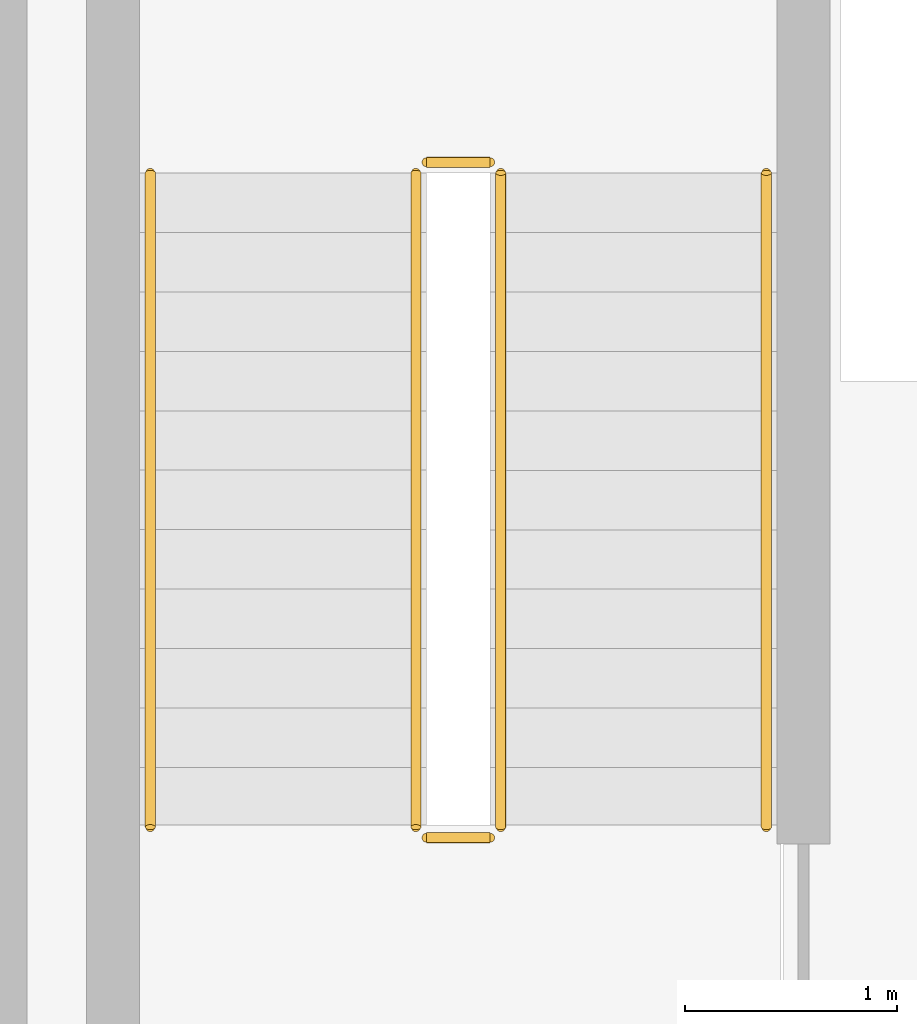
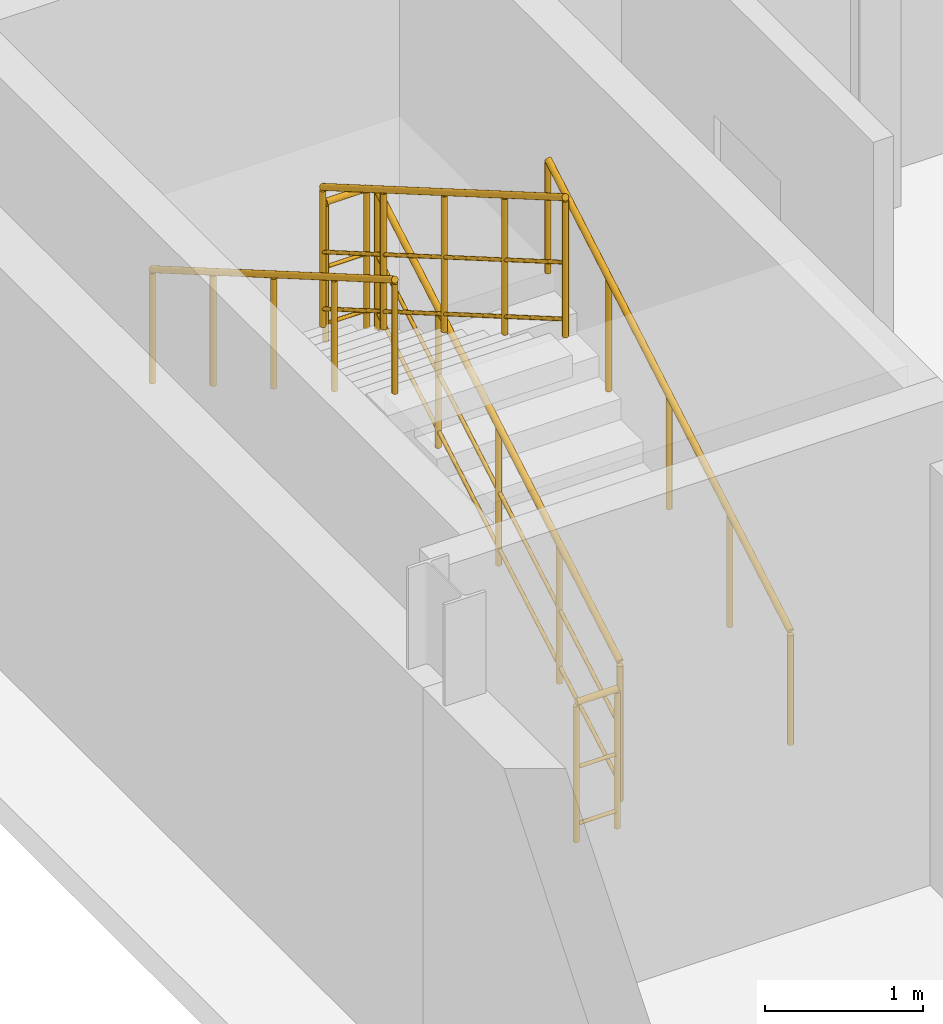
# One storey, part 16 of 16: 6 railings.
"""IFC4 building model written with IfcOpenShell, lengths in metres."""

import ifcopenshell
import ifcopenshell.guid

model = None  # the IFC model being written
_history = None  # IfcOwnerHistory: only IFC2X3 demands one
_inside = {}  # id of a spatial element -> (the spatial element, [elements in it])
_under = {}  # id of a project, library or spatial element -> (it, [spatial elements below it])
_declared = {}  # id of a project -> (the project, [libraries it declares])
_typed = {}  # id of a type object -> (the type object, [elements of that type])
_made_of = {}  # id of a material, layer set ... -> (it, [elements and type objects made of it])


def new_model(schema):
    """Start an empty IFC model of exactly this schema.

    Asked for "IFC4X3", IfcOpenShell would pick the latest addendum, in which some entities
    have other attributes; the version numbers below select the first issue.
    IFC2X3 requires an IfcOwnerHistory on every rooted entity: one is made here for all.
    """
    global model, _history
    if schema == "IFC4X3":
        model = ifcopenshell.file(schema_version=(4, 3, 0, 0))
    else:
        model = ifcopenshell.file(schema=schema)
    _inside.clear()
    _under.clear()
    _declared.clear()
    _typed.clear()
    _made_of.clear()
    _history = None
    if model.schema == "IFC2X3":
        org = make("IfcOrganization", Name="unknown")
        user = make(
            "IfcPersonAndOrganization",
            ThePerson=make("IfcPerson", FamilyName="unknown"),
            TheOrganization=org,
        )
        app = make(
            "IfcApplication",
            ApplicationDeveloper=org,
            Version="unknown",
            ApplicationFullName="unknown",
            ApplicationIdentifier="unknown",
        )
        _history = make(
            "IfcOwnerHistory",
            OwningUser=user,
            OwningApplication=app,
            ChangeAction="ADDED",
            CreationDate=0,
        )
    return model


def make(cls, **values):
    """One entity of the class cls with the attributes given. An attribute that is None is left unset."""
    return model.create_entity(
        cls, **{name: value for name, value in values.items() if value is not None}
    )


def rooted(cls, **values):
    """An entity with a GlobalId (a new one), such as an element, a storey or a relation."""
    return make(cls, GlobalId=ifcopenshell.guid.new(), OwnerHistory=_history, **values)


def si_unit(unit_type, name, prefix=None):
    """IfcSIUnit, for example si_unit("LENGTHUNIT", "METRE", prefix="MILLI")."""
    return make("IfcSIUnit", UnitType=unit_type, Prefix=prefix, Name=name)


def assignment(units):
    """IfcUnitAssignment: the units of a project."""
    return None if units is None else make("IfcUnitAssignment", Units=units)


def point(xyz):
    """IfcCartesianPoint."""
    return None if xyz is None else make("IfcCartesianPoint", Coordinates=xyz)


def direction(xyz):
    """IfcDirection."""
    return None if xyz is None else make("IfcDirection", DirectionRatios=xyz)


def frame(location, z_axis=None, x_axis=None):
    """IfcAxis2Placement3D, a coordinate frame: its origin and axes. An axis left out is left unset."""
    return make(
        "IfcAxis2Placement3D",
        Location=point(location),
        Axis=direction(z_axis),
        RefDirection=direction(x_axis),
    )


def frame_2d(location, x_axis=None):
    """IfcAxis2Placement2D, a coordinate frame in the plane: its origin and x axis."""
    return make(
        "IfcAxis2Placement2D", Location=point(location), RefDirection=direction(x_axis)
    )


def origin():
    """The frame at (0, 0, 0) with its axes left unset."""
    return frame((0.0, 0.0, 0.0))


def origin_2d():
    """The frame at (0, 0) in the plane with its x axis left unset."""
    return frame_2d((0.0, 0.0))


def place(relative_to, where):
    """IfcLocalPlacement: puts the frame where relative to a parent placement (None: the world)."""
    return make(
        "IfcLocalPlacement", PlacementRelTo=relative_to, RelativePlacement=where
    )


def context(
    kind, dimensions, precision=None, world=None, true_north=None, identifier=None
):
    """IfcGeometricRepresentationContext, for example the 3D "Model" context."""
    return make(
        "IfcGeometricRepresentationContext",
        ContextIdentifier=identifier,
        ContextType=kind,
        CoordinateSpaceDimension=dimensions,
        Precision=precision,
        WorldCoordinateSystem=world,
        TrueNorth=true_north,
    )


def subcontext(parent, identifier, kind, view, scale=None):
    """IfcGeometricRepresentationSubContext, for example "Body" below "Model"."""
    return make(
        "IfcGeometricRepresentationSubContext",
        ContextIdentifier=identifier,
        ContextType=kind,
        ParentContext=parent,
        TargetScale=scale,
        TargetView=view,
    )


def project(units=None, contexts=None):
    """IfcProject with its units and contexts."""
    return rooted(
        "IfcProject",
        Name="project",
        RepresentationContexts=contexts,
        UnitsInContext=assignment(units),
    )


def spatial(cls, under=None, at=None, **own):
    """A site, building, storey or space (cls), placed at a placement, below another one or the project."""
    s = rooted(cls, ObjectPlacement=at, **own)
    if under is not None:
        _under.setdefault(under.id(), (under, []))[1].append(s)
    return s


def profile(cls, at=None, kind="AREA", **sizes):
    """A parametric profile (cls). Its sizes go by their IFC names, for example OverallWidth=200.0."""
    return make(cls, ProfileType=kind, Position=at, **sizes)


def circle(**sizes):
    """IfcCircleProfileDef."""
    return profile("IfcCircleProfileDef", **sizes)


def extrude(swept, where, along, depth):
    """IfcExtrudedAreaSolid: the profile swept, set in the frame where, extruded along a direction by depth."""
    return make(
        "IfcExtrudedAreaSolid",
        SweptArea=swept,
        Position=where,
        ExtrudedDirection=direction(along),
        Depth=depth,
    )


def shape(context_of_items, identifier, shape_type, items):
    """IfcShapeRepresentation: the items that make up one representation, for example the "Body"."""
    return make(
        "IfcShapeRepresentation",
        ContextOfItems=context_of_items,
        RepresentationIdentifier=identifier,
        RepresentationType=shape_type,
        Items=items,
    )


def material(Name=None, Category=None):
    """IfcMaterial."""
    return make("IfcMaterial", Name=Name, Category=Category)


def made_of(thing, what):
    """Note that an element or type object is made of a material, layer set ...; save() writes the relation."""
    if what is not None:
        _made_of.setdefault(what.id(), (what, []))[1].append(thing)
    return thing


def type_object(cls, material=None, **own):
    """A type object (cls), such as IfcWallType, which elements share."""
    return made_of(rooted(cls, **own), material)


def element(
    cls,
    number,
    at=None,
    inside=None,
    cuts=None,
    type_object=None,
    material=None,
    context=None,
    identifier="Body",
    shape_type=None,
    held_by="IfcProductDefinitionShape",
    body=None,
    shapes=None,
    **own,
):
    """One element of the class cls, such as IfcWall. Its Tag is "e" and its number.

    at: its placement. inside: the storey or other place that contains it. cuts: it is an
    opening in that element (IfcRelVoidsElement). A single representation is given by context,
    identifier, shape_type and body (its items); several are given by shapes. held_by: the class
    of the entity that holds the representations. save() writes the other relations.
    """
    e = rooted(cls, Tag="e%d" % number, ObjectPlacement=at, **own)
    if body is not None:
        shapes = [shape(context, identifier, shape_type, body)]
    if shapes is not None:
        e.Representation = make(held_by, Representations=shapes)
    if inside is not None:
        _inside.setdefault(inside.id(), (inside, []))[1].append(e)
    if cuts is not None:
        rooted(
            "IfcRelVoidsElement", RelatingBuildingElement=cuts, RelatedOpeningElement=e
        )
    if type_object is not None:
        _typed.setdefault(type_object.id(), (type_object, []))[1].append(e)
    return made_of(e, material)


def aggregate(whole, parts):
    """IfcRelAggregates: a whole, such as a stair, and the parts it consists of."""
    return rooted("IfcRelAggregates", RelatingObject=whole, RelatedObjects=parts)


def save(model, path):
    """Write the relations noted so far, then the file.

    IfcRelAggregates (storeys below a building ...), IfcRelContainedInSpatialStructure (elements
    in a storey), IfcRelDefinesByType, IfcRelAssociatesMaterial and IfcRelDeclares: one each for
    every whole, place, type object, material and project.
    """
    for whole, parts in _under.values():
        aggregate(whole, parts)
    for where, things in _inside.values():
        rooted(
            "IfcRelContainedInSpatialStructure",
            RelatedElements=things,
            RelatingStructure=where,
        )
    for kind, things in _typed.values():
        rooted("IfcRelDefinesByType", RelatedObjects=things, RelatingType=kind)
    for what, things in _made_of.values():
        rooted("IfcRelAssociatesMaterial", RelatedObjects=things, RelatingMaterial=what)
    for by, libraries in _declared.values():
        rooted("IfcRelDeclares", RelatingContext=by, RelatedDefinitions=libraries)
    model.write(path)


model = new_model("IFC4")

# Units and contexts
model_context = context("Model", 3, precision=1e-05, world=origin(), true_north=direction((0.0, 1.0)))
body_context = subcontext(model_context, "Body", "Model", "MODEL_VIEW")
ifc_project = project(units=[si_unit("LENGTHUNIT", "METRE"), si_unit("AREAUNIT", "SQUARE_METRE"), si_unit("VOLUMEUNIT", "CUBIC_METRE"), si_unit("PLANEANGLEUNIT", "RADIAN"), si_unit("MASSUNIT", "GRAM", prefix="KILO")], contexts=[model_context])

# Site, building, storey
site_placement = place(None, origin())
site = spatial("IfcSite", under=ifc_project, at=site_placement, CompositionType="ELEMENT")
building_placement = place(site_placement, origin())
building = spatial("IfcBuilding", under=site, at=building_placement, Name="Vinh Khe Railworks Police Headquarters", CompositionType="ELEMENT")
storey_placement = place(building_placement, frame((0.0, 0.0, 28.800048828125)))
storey = spatial("IfcBuildingStorey", under=building, at=storey_placement, Name="L07", CompositionType="ELEMENT", Elevation=28.800048828125)

# Railings
ifc_material_1 = material(Name="Painted tubular steel", Category="steel")
railing_type_1 = type_object("IfcRailingType", Name="RL-GUARD-1100", PredefinedType="GUARDRAIL", material=ifc_material_1)
railing_1_placement = place(storey_placement, frame((3.0, 82.949951171875, 0.162353515625)))
element("IfcRailing", 1, at=railing_1_placement, inside=storey, type_object=railing_type_1, Name="L07 ST-02 stair guard 1", PredefinedType="GUARDRAIL", context=body_context, shape_type="SweptSolid", body=[
    extrude(circle(Radius=0.02392578125, at=origin_2d()), frame((0.0, 0.0, 1.076171875), z_axis=(0.0, 0.864890721111, 0.501960198159), x_axis=(-1.0, 0.0, 0.0)), (0.0, 0.0, 1.0), 3.561279296875),
    extrude(circle(Radius=0.01416015625, at=origin_2d()), frame((0.0, 0.0, 0.132080078125), z_axis=(0.0, 0.864890721111, 0.501960198159), x_axis=(-1.0, 0.0, 0.0)), (0.0, 0.0, 1.0), 3.561279296875),
    extrude(circle(Radius=0.01416015625, at=origin_2d()), frame((0.0, 0.0, 0.572021484375), z_axis=(0.0, 0.864890721111, 0.501960198159), x_axis=(-1.0, 0.0, 0.0)), (0.0, 0.0, 1.0), 3.561279296875),
    extrude(circle(Radius=0.02099609375, at=origin_2d()), origin(), (0.0, 0.0, 1.0), 1.052001953125),
    extrude(circle(Radius=0.02099609375, at=origin_2d()), frame((0.0, 0.77001953125, 0.44677734375)), (0.0, 0.0, 1.0), 1.052001953125),
    extrude(circle(Radius=0.02099609375, at=origin_2d()), frame((0.0, 1.5400390625, 0.893798828125)), (0.0, 0.0, 1.0), 1.052001953125),
    extrude(circle(Radius=0.02099609375, at=origin_2d()), frame((0.0, 2.31005859375, 1.3408203125)), (0.0, 0.0, 1.0), 1.052001953125),
    extrude(circle(Radius=0.02099609375, at=origin_2d()), frame((0.0, 3.080078125, 1.78759765625)), (0.0, 0.0, 1.0), 1.052001953125),
])
railing_2_placement = place(storey_placement, frame((2.949951171875, 86.080078125, 1.949951171875)))
element("IfcRailing", 2, at=railing_2_placement, inside=storey, type_object=railing_type_1, Name="L07 ST-02 stair guard 2", PredefinedType="GUARDRAIL", context=body_context, shape_type="SweptSolid", body=[
    extrude(circle(Radius=0.02392578125, at=origin_2d()), frame((0.0, 0.0, 1.076171875), z_axis=(-1.0, 0.0, 0.0), x_axis=(0.0, -1.0, 0.0)), (0.0, 0.0, 1.0), 0.300048828125),
    extrude(circle(Radius=0.01416015625, at=origin_2d()), frame((0.0, 0.0, 0.132080078125), z_axis=(-1.0, 0.0, 0.0), x_axis=(0.0, -1.0, 0.0)), (0.0, 0.0, 1.0), 0.300048828125),
    extrude(circle(Radius=0.01416015625, at=origin_2d()), frame((0.0, 0.0, 0.572021484375), z_axis=(-1.0, 0.0, 0.0), x_axis=(0.0, -1.0, 0.0)), (0.0, 0.0, 1.0), 0.300048828125),
    extrude(circle(Radius=0.02099609375, at=origin_2d()), origin(), (0.0, 0.0, 1.0), 1.052001953125),
    extrude(circle(Radius=0.02099609375, at=origin_2d()), frame((-0.300048828125, 0.0, 0.0)), (0.0, 0.0, 1.0), 1.052001953125),
])
railing_3_placement = place(storey_placement, frame((2.60009765625, 86.030029296875, 2.112548828125)))
element("IfcRailing", 3, at=railing_3_placement, inside=storey, type_object=railing_type_1, Name="L07 ST-02 stair guard 3", PredefinedType="GUARDRAIL", context=body_context, shape_type="SweptSolid", body=[
    extrude(circle(Radius=0.02392578125, at=origin_2d()), frame((0.0, 0.0, 1.076171875), z_axis=(0.0, -0.864920483161, 0.501908913857), x_axis=(1.0, 0.0, 0.0)), (0.0, 0.0, 1.0), 3.56103515625),
    extrude(circle(Radius=0.01416015625, at=origin_2d()), frame((0.0, 0.0, 0.132080078125), z_axis=(0.0, -0.864920483161, 0.501908913857), x_axis=(1.0, 0.0, 0.0)), (0.0, 0.0, 1.0), 3.56103515625),
    extrude(circle(Radius=0.01416015625, at=origin_2d()), frame((0.0, 0.0, 0.572021484375), z_axis=(0.0, -0.864920483161, 0.501908913857), x_axis=(1.0, 0.0, 0.0)), (0.0, 0.0, 1.0), 3.56103515625),
    extrude(circle(Radius=0.02099609375, at=origin_2d()), origin(), (0.0, 0.0, 1.0), 1.052001953125),
    extrude(circle(Radius=0.02099609375, at=origin_2d()), frame((0.0, -0.77001953125, 0.44677734375)), (0.0, 0.0, 1.0), 1.052001953125),
    extrude(circle(Radius=0.02099609375, at=origin_2d()), frame((0.0, -1.5400390625, 0.8935546875)), (0.0, 0.0, 1.0), 1.052001953125),
    extrude(circle(Radius=0.02099609375, at=origin_2d()), frame((0.0, -2.31005859375, 1.340576171875)), (0.0, 0.0, 1.0), 1.052001953125),
    extrude(circle(Radius=0.02099609375, at=origin_2d()), frame((0.0, -3.080078125, 1.787353515625)), (0.0, 0.0, 1.0), 1.052001953125),
])
railing_4_placement = place(storey_placement, frame((2.949951171875, 82.89990234375, 0.0)))
element("IfcRailing", 4, at=railing_4_placement, inside=storey, type_object=railing_type_1, Name="L07 ST-02 stair guard 4", PredefinedType="GUARDRAIL", context=body_context, shape_type="SweptSolid", body=[
    extrude(circle(Radius=0.02392578125, at=origin_2d()), frame((0.0, 0.0, 1.076171875), z_axis=(-1.0, 0.0, 0.0), x_axis=(0.0, -1.0, 0.0)), (0.0, 0.0, 1.0), 0.300048828125),
    extrude(circle(Radius=0.01416015625, at=origin_2d()), frame((0.0, 0.0, 0.132080078125), z_axis=(-1.0, 0.0, 0.0), x_axis=(0.0, -1.0, 0.0)), (0.0, 0.0, 1.0), 0.300048828125),
    extrude(circle(Radius=0.01416015625, at=origin_2d()), frame((0.0, 0.0, 0.572021484375), z_axis=(-1.0, 0.0, 0.0), x_axis=(0.0, -1.0, 0.0)), (0.0, 0.0, 1.0), 0.300048828125),
    extrude(circle(Radius=0.02099609375, at=origin_2d()), origin(), (0.0, 0.0, 1.0), 1.052001953125),
    extrude(circle(Radius=0.02099609375, at=origin_2d()), frame((-0.300048828125, 0.0, 0.0)), (0.0, 0.0, 1.0), 1.052001953125),
])
ifc_material_2 = material(Name="Brushed stainless steel", Category="steel")
railing_type_2 = type_object("IfcRailingType", Name="RL-HAND-900", PredefinedType="HANDRAIL", material=ifc_material_2)
railing_5_placement = place(storey_placement, frame((4.25, 82.949951171875, 0.162353515625)))
element("IfcRailing", 5, at=railing_5_placement, inside=storey, type_object=railing_type_2, Name="L07 ST-02 stair handrail 1", PredefinedType="HANDRAIL", context=body_context, shape_type="SweptSolid", body=[
    extrude(circle(Radius=0.02392578125, at=origin_2d()), frame((0.0, 0.0, 0.8759765625), z_axis=(0.0, 0.864890721111, 0.501960198159), x_axis=(-1.0, 0.0, 0.0)), (0.0, 0.0, 1.0), 3.561279296875),
    extrude(circle(Radius=0.02099609375, at=origin_2d()), origin(), (0.0, 0.0, 1.0), 0.851806640625),
    extrude(circle(Radius=0.02099609375, at=origin_2d()), frame((0.0, 0.77001953125, 0.44677734375)), (0.0, 0.0, 1.0), 0.851806640625),
    extrude(circle(Radius=0.02099609375, at=origin_2d()), frame((0.0, 1.5400390625, 0.893798828125)), (0.0, 0.0, 1.0), 0.851806640625),
    extrude(circle(Radius=0.02099609375, at=origin_2d()), frame((0.0, 2.31005859375, 1.3408203125)), (0.0, 0.0, 1.0), 0.851806640625),
    extrude(circle(Radius=0.02099609375, at=origin_2d()), frame((0.0, 3.080078125, 1.78759765625)), (0.0, 0.0, 1.0), 0.851806640625),
])
railing_6_placement = place(storey_placement, frame((1.35009765625, 86.030029296875, 2.112548828125)))
element("IfcRailing", 6, at=railing_6_placement, inside=storey, type_object=railing_type_2, Name="L07 ST-02 stair handrail 2", PredefinedType="HANDRAIL", context=body_context, shape_type="SweptSolid", body=[
    extrude(circle(Radius=0.02392578125, at=origin_2d()), frame((0.0, 0.0, 0.8759765625), z_axis=(0.0, -0.864920483161, 0.501908913857), x_axis=(1.0, 0.0, 0.0)), (0.0, 0.0, 1.0), 3.56103515625),
    extrude(circle(Radius=0.02099609375, at=origin_2d()), origin(), (0.0, 0.0, 1.0), 0.851806640625),
    extrude(circle(Radius=0.02099609375, at=origin_2d()), frame((0.0, -0.77001953125, 0.44677734375)), (0.0, 0.0, 1.0), 0.851806640625),
    extrude(circle(Radius=0.02099609375, at=origin_2d()), frame((0.0, -1.5400390625, 0.8935546875)), (0.0, 0.0, 1.0), 0.851806640625),
    extrude(circle(Radius=0.02099609375, at=origin_2d()), frame((0.0, -2.31005859375, 1.340576171875)), (0.0, 0.0, 1.0), 0.851806640625),
    extrude(circle(Radius=0.02099609375, at=origin_2d()), frame((0.0, -3.080078125, 1.787353515625)), (0.0, 0.0, 1.0), 0.851806640625),
])

save(model, "model.ifc")
